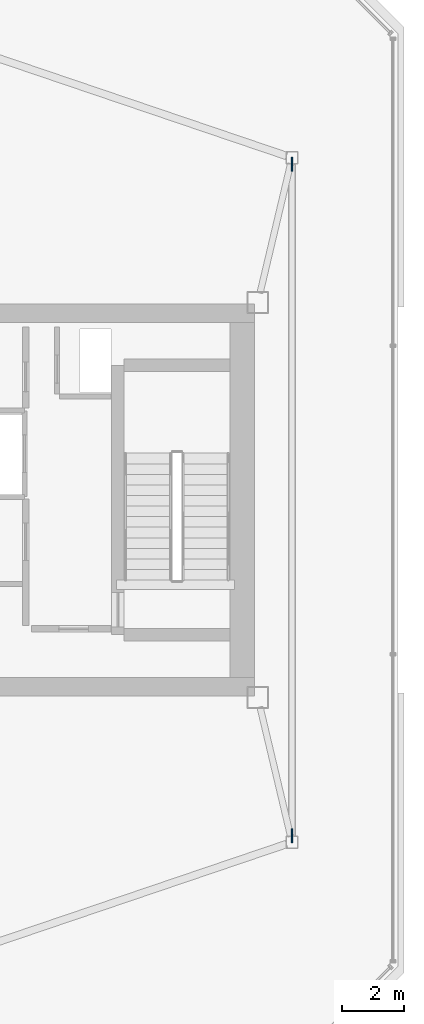
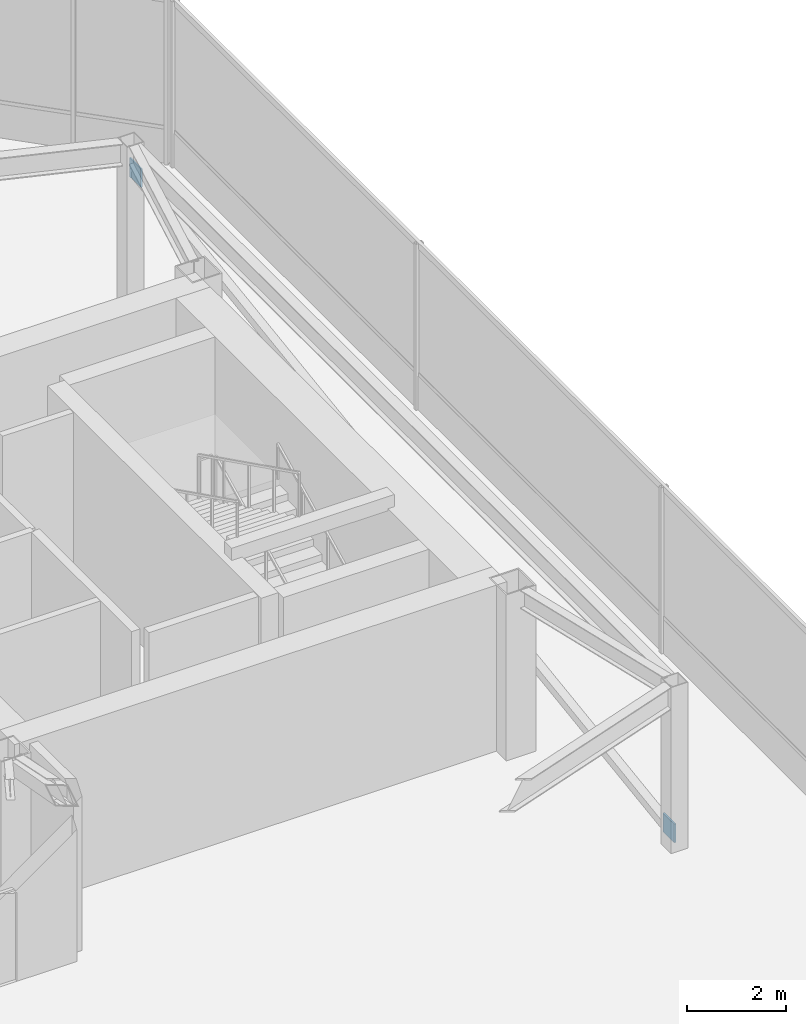
# One storey, part 20 of 21: 2 discrete accessories.
"""IFC4 building model written with IfcOpenShell, lengths in metres."""

from ifc_helpers import new_model, si_unit, direction, frame, origin, origin_2d, place, context, subcontext, project, spatial, rectangle, extrude, material, type_object, element, save


model = new_model("IFC4")

# Units and contexts
model_context = context("Model", 3, precision=1e-05, world=origin(), true_north=direction((0.0, 1.0)))
body_context = subcontext(model_context, "Body", "Model", "MODEL_VIEW")
ifc_project = project(units=[si_unit("LENGTHUNIT", "METRE"), si_unit("AREAUNIT", "SQUARE_METRE"), si_unit("VOLUMEUNIT", "CUBIC_METRE"), si_unit("PLANEANGLEUNIT", "RADIAN"), si_unit("MASSUNIT", "GRAM", prefix="KILO")], contexts=[model_context])

# Site, building, storey
site_placement = place(None, origin())
site = spatial("IfcSite", under=ifc_project, at=site_placement, CompositionType="ELEMENT")
building_placement = place(site_placement, origin())
building = spatial("IfcBuilding", under=site, at=building_placement, Name="Tavrogorsk Clinical Tower", CompositionType="ELEMENT")
storey_placement = place(building_placement, frame((0.0, 0.0, 344.199951171875)))
storey = spatial("IfcBuildingStorey", under=building, at=storey_placement, Name="L80", CompositionType="ELEMENT", Elevation=344.199951171875)

# Discrete accessories
ifc_material = material(Name="Structural steel S440", Category="steel")
discrete_accessory_type = type_object("IfcDiscreteAccessoryType", Name="GussetPlateBracket_25", PredefinedType="BRACKET", material=ifc_material)
for number, where, z_axis, x_axis, name in (
    (1, (23.199951171875, -10.792236328125, 0.099853515625), (0.0, 0.0, 1.0), (0.0, 1.0, 0.0), "L80 Brace Gusset Plate CRNBR-L80-2-A"),
    (2, (23.199951171875, 10.792236328125, 3.1904296875), (0.0, 0.0, 1.0), (0.0, 1.0, 0.0), "L80 Brace Gusset Plate CRNBR-L80-2-B"),
):
    element("IfcDiscreteAccessory", number, at=place(storey_placement, frame(where, z_axis=z_axis, x_axis=x_axis)), inside=storey, type_object=discrete_accessory_type, Name=name, PredefinedType="BRACKET", context=body_context, shape_type="SweptSolid", body=[
        extrude(rectangle(XDim=0.4599609375, YDim=0.0400390625, at=origin_2d()), origin(), (0.0, 0.0, 1.0), 0.4599609375),
    ])

save(model, "model.ifc")
